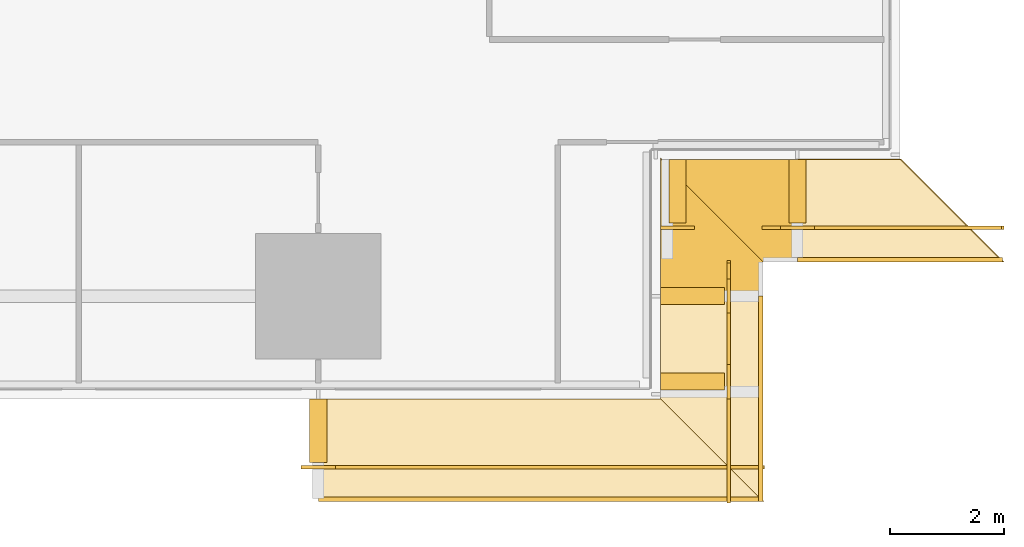
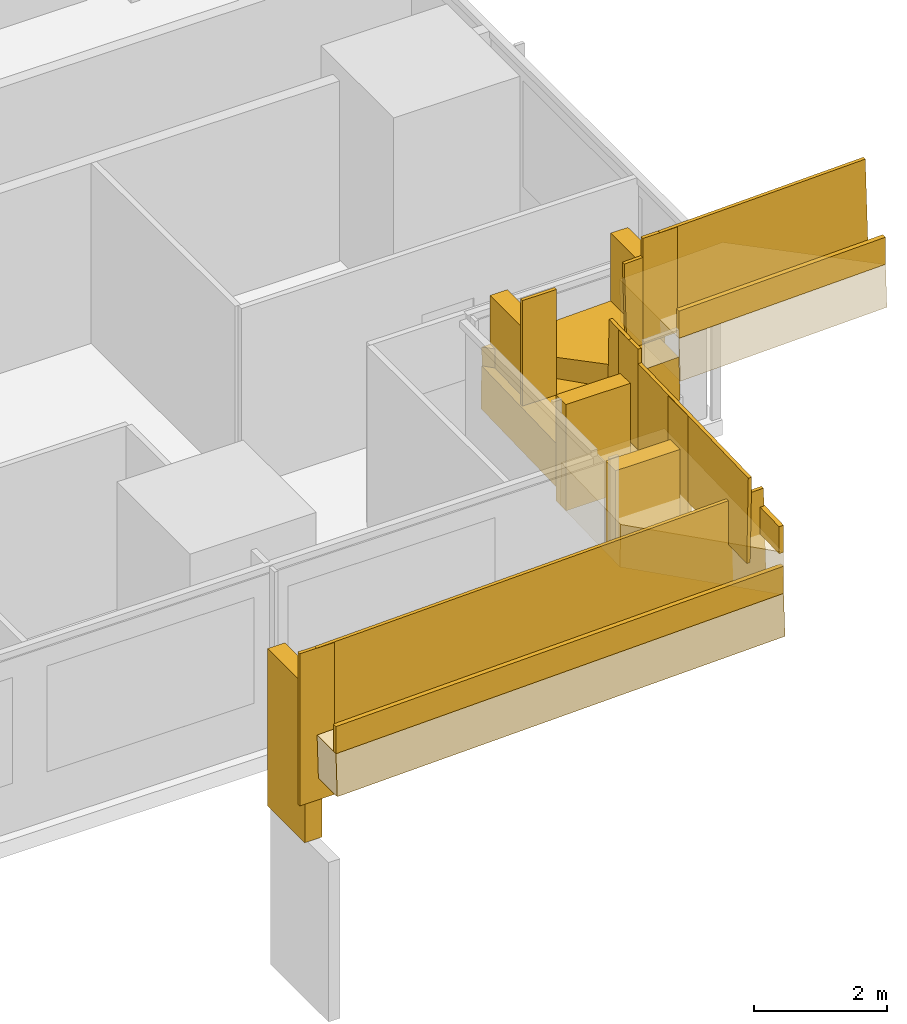
# One storey, part 28 of 30: 13 coverings, 10 railings.
"""IFC4 building model written with IfcOpenShell, lengths in metres."""

from ifc_helpers import new_model, si_unit, direction, frame, origin, origin_2d, place, context, subcontext, project, spatial, polyline, rectangle, outline, extrude, material, layer, layer_set, type_object, element, save


model = new_model("IFC4")

# Units and contexts
model_context = context("Model", 3, precision=1e-05, world=origin(), true_north=direction((0.0, 1.0)))
body_context = subcontext(model_context, "Body", "Model", "MODEL_VIEW")
ifc_project = project(units=[si_unit("LENGTHUNIT", "METRE"), si_unit("AREAUNIT", "SQUARE_METRE"), si_unit("VOLUMEUNIT", "CUBIC_METRE"), si_unit("PLANEANGLEUNIT", "RADIAN"), si_unit("MASSUNIT", "GRAM", prefix="KILO")], contexts=[model_context])

# Site, building, storey
site_placement = place(None, origin())
site = spatial("IfcSite", under=ifc_project, at=site_placement, CompositionType="ELEMENT")
building_placement = place(site_placement, origin())
building = spatial("IfcBuilding", under=site, at=building_placement, Name="Saffron Gate Tower", CompositionType="ELEMENT")
storey_placement = place(building_placement, frame((0.0, 0.0, 69.60009765625)))
storey = spatial("IfcBuildingStorey", under=building, at=storey_placement, Name="L16", CompositionType="ELEMENT", Elevation=69.60009765625)

# Coverings
ifc_material = material(Name="Timber, thermally modified ash", Category="wood")
ifc_layer_1 = layer(ifc_material, 0.800048828125)
ifc_layer_set_1 = layer_set([ifc_layer_1], Name="LD1 ledge timber")
covering_type_1 = type_object("IfcCoveringType", Name="LD1 ledge timber", PredefinedType="CLADDING", material=ifc_layer_set_1)
covering_1_placement = place(storey_placement, frame((117.0, 30.0, 1.055419921875), z_axis=(-0.028807146299, 3.5027307e-05, 0.99958498743), x_axis=(0.999584988043, 3.68e-10, 0.028807146316)))
element("IfcCovering", 1, at=covering_1_placement, inside=storey, type_object=covering_type_1, Name="LEDGE", PredefinedType="CLADDING", context=body_context, shape_type="SweptSolid", body=[
    extrude(outline(polyline([(0.0, 0.0), (6.0024892885105, -2.541098841762901e-21), (7.8032891020589235, -1.8000488321003227), (-6.622937652878055e-10, -1.8000488270207489), (0.0, 0.0)])), origin(), (0.0, 0.0, -1.0), 0.800048828125),
])
covering_2_placement = place(storey_placement, frame((123.0, 30.0, 2.085693359375), z_axis=(-4.5191205e-05, -0.028831989003, 0.999584270769), x_axis=(2.041e-09, 0.999584271789, 0.028831989032)))
element("IfcCovering", 2, at=covering_2_placement, inside=storey, type_object=covering_type_1, Name="LEDGE", PredefinedType="CLADDING", context=body_context, shape_type="SweptSolid", body=[
    extrude(outline(polyline([(0.0, 0.0), (1.8007998167885757, 0.0), (1.8007998204631834, -1.80004882628693), (-1.8007927740541456, -1.800048837315338), (0.0, 0.0)])), origin(), (0.0, 0.0, -1.0), 0.800048828125),
])
covering_3_placement = place(storey_placement, frame((123.0, 31.800048828125, 2.394775390625), z_axis=(-2.8677152e-05, -0.028798988267, 0.999585222706), x_axis=(-6.17e-10, 0.999585223117, 0.028798988279)))
element("IfcCovering", 3, at=covering_3_placement, inside=storey, type_object=covering_type_1, Name="LEDGE", PredefinedType="CLADDING", context=body_context, shape_type="SweptSolid", body=[
    extrude(outline(polyline([(0.0, 0.0), (2.400896693585025, 4.235164736271502e-22), (0.6001039103565923, -1.8000488292351675), (-1.1098572600196767e-09, -1.8000488273848385), (0.0, 0.0)])), origin(), (0.0, 0.0, -1.0), 0.800048828125),
])
covering_4_placement = place(storey_placement, frame((123.0, 34.199951171875, 2.806884765625), z_axis=(-0.028717702301, 7.9786444e-05, 0.99958755855), x_axis=(0.999587561732, -4.773e-09, 0.028717702392)))
element("IfcCovering", 4, at=covering_4_placement, inside=storey, type_object=covering_type_1, Name="LEDGE", PredefinedType="CLADDING", context=body_context, shape_type="SweptSolid", body=[
    extrude(outline(polyline([(0.0, 0.0), (2.400896689844359, 8.470329472543003e-22), (2.400896698435549, -1.8000488223955553), (1.8007998043088487, -1.800048836718559), (0.0, 0.0)])), origin(), (0.0, 0.0, -1.0), 0.800048828125),
])
covering_5_placement = place(storey_placement, frame((125.39990234375, 34.199951171875, 3.218994140625), z_axis=(-0.028831989003, -4.5191205e-05, 0.999584270769), x_axis=(0.999584271789, 2.041e-09, 0.028831989032)))
element("IfcCovering", 5, at=covering_5_placement, inside=storey, type_object=covering_type_1, Name="LEDGE", PredefinedType="CLADDING", context=body_context, shape_type="SweptSolid", body=[
    extrude(outline(polyline([(0.0, 0.0), (1.8007998167885757, 0.0), (3.6015925908427215, -1.800048837315338), (-3.6746077267916745e-09, -1.80004882628693), (0.0, 0.0)])), origin(), (0.0, 0.0, -1.0), 0.800048828125),
])
ifc_layer_2 = layer(ifc_material, 0.080078125)
ifc_layer_set_2 = layer_set([ifc_layer_2], Name="LD2 ledge planter trough")
covering_type_2 = type_object("IfcCoveringType", Name="LD2 ledge planter trough", PredefinedType="CLADDING", material=ifc_layer_set_2)
covering_6_placement = place(storey_placement, frame((117.0, 28.199951171875, 1.055419921875), z_axis=(0.0, -1.0, 0.0), x_axis=(0.999584755248, 0.0, 0.028815222999)))
element("IfcCovering", 6, at=covering_6_placement, inside=storey, type_object=covering_type_2, Name="LEDGE planter trough", PredefinedType="CLADDING", context=body_context, shape_type="SweptSolid", body=[
    extrude(outline(polyline([(0.0, 0.0), (7.803289102975944, 0.0), (7.8176967144752565, 0.4997923776238338), (0.014407611499312996, 0.4997923776238338), (0.0, 0.0)])), origin(), (0.0, 0.0, -1.0), 0.080078125),
])
for number, where, z_axis, x_axis, name in (
    (7, (124.800048828125, 28.199951171875, 2.033935546875), (1.0, 0.0, 0.0), (0.0, 0.99958492274, 0.028809412191), "LEDGE planter trough"),
    (8, (125.39990234375, 32.39990234375, 3.218994140625), (0.0, -1.0, 0.0), (0.99958492274, 0.0, 0.028809412191), "LEDGE planter trough"),
):
    element("IfcCovering", number, at=place(storey_placement, frame(where, z_axis=z_axis, x_axis=x_axis)), inside=storey, type_object=covering_type_2, Name=name, PredefinedType="CLADDING", context=body_context, shape_type="SweptSolid", body=[
        extrude(outline(polyline([(0.0, 0.0), (3.601592595435983, 0.0), (3.6159973015313485, 0.4997924613700232), (0.014404706095365512, 0.4997924613700232), (0.0, 0.0)])), origin(), (0.0, 0.0, -1.0), 0.080078125),
    ])
ifc_layer_3 = layer(ifc_material, 0.300048828125)
ifc_layer_set_3 = layer_set([ifc_layer_3], Name="LD3 ledge riser fin")
covering_type_3 = type_object("IfcCoveringType", Name="LD3 ledge riser fin", PredefinedType="CLADDING", material=ifc_layer_set_3)
covering_7_placement = place(storey_placement, frame((117.0, 29.43994140625, -0.94482421875), z_axis=(0.0, 0.0, 1.0), x_axis=(1.0, 0.0, 0.0)))
element("IfcCovering", 9, at=covering_7_placement, inside=storey, type_object=covering_type_3, Name="LEDGE riser fin", PredefinedType="CLADDING", context=body_context, shape_type="SweptSolid", body=[
    extrude(rectangle(XDim=0.300048828125, YDim=1.1201171875, at=origin_2d()), origin(), (0.0, 0.0, 1.0), 2.900390625),
])
covering_8_placement = place(storey_placement, frame((123.56005859375, 30.300048828125, 0.42822265625), z_axis=(0.0, 0.0, 1.0), x_axis=(0.0, 1.0, 0.0)))
element("IfcCovering", 10, at=covering_8_placement, inside=storey, type_object=covering_type_3, Name="LEDGE riser fin", PredefinedType="CLADDING", context=body_context, shape_type="SweptSolid", body=[
    extrude(rectangle(XDim=0.300048828125, YDim=1.1201171875, at=origin_2d()), origin(), (0.0, 0.0, 1.0), 2.557373046875),
])
covering_9_placement = place(storey_placement, frame((123.56005859375, 31.800048828125, 1.33740234375), z_axis=(0.0, 0.0, 1.0), x_axis=(0.0, 1.0, 0.0)))
element("IfcCovering", 11, at=covering_9_placement, inside=storey, type_object=covering_type_3, Name="LEDGE riser fin", PredefinedType="CLADDING", context=body_context, shape_type="SweptSolid", body=[
    extrude(rectangle(XDim=0.300048828125, YDim=1.1201171875, at=origin_2d()), origin(), (0.0, 0.0, 1.0), 1.957275390625),
])
for number, where, z_axis, x_axis, name in (
    (12, (123.300048828125, 33.639892578125, 1.6640625), (0.0, 0.0, 1.0), (1.0, 0.0, 0.0), "LEDGE riser fin"),
    (13, (125.39990234375, 33.639892578125, 2.076171875), (0.0, 0.0, 1.0), (1.0, 0.0, 0.0), "LEDGE riser fin"),
):
    element("IfcCovering", number, at=place(storey_placement, frame(where, z_axis=z_axis, x_axis=x_axis)), inside=storey, type_object=covering_type_3, Name=name, PredefinedType="CLADDING", context=body_context, shape_type="SweptSolid", body=[
        extrude(rectangle(XDim=0.300048828125, YDim=1.1201171875, at=origin_2d()), origin(), (0.0, 0.0, 1.0), 2.04296875),
    ])

# Railings
railing_type = type_object("IfcRailingType", Name="LG1 ledge balustrade", PredefinedType="BALUSTRADE", material=ifc_material)
railing_1_placement = place(storey_placement, frame((117.0, 28.800048828125, 1.055419921875)))
element("IfcRailing", 14, at=railing_1_placement, inside=storey, type_object=railing_type, Name="LEDGE BALUSTRADE", PredefinedType="BALUSTRADE", context=body_context, shape_type="SweptSolid", body=[
    extrude(rectangle(XDim=0.06005859375, YDim=1.60009765625, at=origin_2d()), frame((0.0, 0.0, 0.800048828125), z_axis=(0.999584755248, 0.0, 0.028815222999), x_axis=(0.0, 1.0, 0.0)), (0.0, 0.0, 1.0), 7.80322265625),
])
railing_2_placement = place(storey_placement, frame((116.699951171875, 28.800048828125, -0.144775390625)))
element("IfcRailing", 15, at=railing_2_placement, inside=storey, type_object=railing_type, Name="LEDGE BALUSTRADE", PredefinedType="BALUSTRADE", context=body_context, shape_type="SweptSolid", body=[
    extrude(rectangle(XDim=0.06005859375, YDim=2.80029296875, at=origin_2d()), frame((0.0, 0.0, 1.400146484375), z_axis=(1.0, 0.0, 0.0), x_axis=(0.0, 1.0, 0.0)), (0.0, 0.0, 1.0), 0.60009765625),
])
railing_3_placement = place(storey_placement, frame((124.199951171875, 28.199951171875, 2.033935546875)))
element("IfcRailing", 16, at=railing_3_placement, inside=storey, type_object=railing_type, Name="LEDGE BALUSTRADE", PredefinedType="BALUSTRADE", context=body_context, shape_type="SweptSolid", body=[
    extrude(rectangle(XDim=0.06005859375, YDim=1.60009765625, at=origin_2d()), frame((0.0, 0.0, 0.800048828125), z_axis=(0.0, 0.99958492274, 0.028809412191), x_axis=(-1.0, 0.0, 0.0)), (0.0, 0.0, 1.0), 3.6015625),
])
railing_4_placement = place(storey_placement, frame((124.199951171875, 30.0, 1.228271484375)))
element("IfcRailing", 17, at=railing_4_placement, inside=storey, type_object=railing_type, Name="LEDGE BALUSTRADE", PredefinedType="BALUSTRADE", context=body_context, shape_type="SweptSolid", body=[
    extrude(rectangle(XDim=0.06005859375, YDim=2.45751953125, at=origin_2d()), frame((0.0, 0.0, 1.228759765625), z_axis=(0.0, 1.0, 0.0), x_axis=(-1.0, 0.0, 0.0)), (0.0, 0.0, 1.0), 0.60009765625),
])
railing_5_placement = place(storey_placement, frame((124.199951171875, 31.800048828125, 2.394775390625)))
element("IfcRailing", 18, at=railing_5_placement, inside=storey, type_object=railing_type, Name="LEDGE BALUSTRADE", PredefinedType="BALUSTRADE", context=body_context, shape_type="SweptSolid", body=[
    extrude(rectangle(XDim=0.06005859375, YDim=1.60009765625, at=origin_2d()), frame((0.0, 0.0, 0.800048828125), z_axis=(0.0, 0.999582742162, 0.028884971385), x_axis=(-1.0, 0.0, 0.0)), (0.0, 0.0, 1.0), 0.60009765625),
])
railing_6_placement = place(storey_placement, frame((124.199951171875, 31.5, 2.1376953125)))
element("IfcRailing", 19, at=railing_6_placement, inside=storey, type_object=railing_type, Name="LEDGE BALUSTRADE", PredefinedType="BALUSTRADE", context=body_context, shape_type="SweptSolid", body=[
    extrude(rectangle(XDim=0.06005859375, YDim=1.857177734375, at=origin_2d()), frame((0.0, 0.0, 0.9287109375), z_axis=(0.0, 1.0, 0.0), x_axis=(-1.0, 0.0, 0.0)), (0.0, 0.0, 1.0), 0.60009765625),
])
railing_7_placement = place(storey_placement, frame((124.800048828125, 33.0, 2.85888671875)))
element("IfcRailing", 20, at=railing_7_placement, inside=storey, type_object=railing_type, Name="LEDGE BALUSTRADE", PredefinedType="BALUSTRADE", context=body_context, shape_type="SweptSolid", body=[
    extrude(rectangle(XDim=0.06005859375, YDim=1.60009765625, at=origin_2d()), frame((0.0, 0.0, 0.800048828125), z_axis=(0.999594406032, 0.0, 0.028478473106), x_axis=(0.0, 1.0, 0.0)), (0.0, 0.0, 1.0), 0.60009765625),
])
railing_8_placement = place(storey_placement, frame((123.0, 33.0, 2.4638671875)))
element("IfcRailing", 21, at=railing_8_placement, inside=storey, type_object=railing_type, Name="LEDGE BALUSTRADE", PredefinedType="BALUSTRADE", context=body_context, shape_type="SweptSolid", body=[
    extrude(rectangle(XDim=0.06005859375, YDim=1.943115234375, at=origin_2d()), frame((0.0, 0.0, 0.9716796875), z_axis=(1.0, 0.0, 0.0), x_axis=(0.0, 1.0, 0.0)), (0.0, 0.0, 1.0), 0.60009765625),
])
railing_9_placement = place(storey_placement, frame((125.39990234375, 33.0, 3.218994140625)))
element("IfcRailing", 22, at=railing_9_placement, inside=storey, type_object=railing_type, Name="LEDGE BALUSTRADE", PredefinedType="BALUSTRADE", context=body_context, shape_type="SweptSolid", body=[
    extrude(rectangle(XDim=0.06005859375, YDim=1.60009765625, at=origin_2d()), frame((0.0, 0.0, 0.800048828125), z_axis=(0.99958492274, 0.0, 0.028809412191), x_axis=(0.0, 1.0, 0.0)), (0.0, 0.0, 1.0), 3.6015625),
])
railing_10_placement = place(storey_placement, frame((125.10009765625, 33.0, 2.8759765625)))
element("IfcRailing", 23, at=railing_10_placement, inside=storey, type_object=railing_type, Name="LEDGE BALUSTRADE", PredefinedType="BALUSTRADE", context=body_context, shape_type="SweptSolid", body=[
    extrude(rectangle(XDim=0.06005859375, YDim=1.943115234375, at=origin_2d()), frame((0.0, 0.0, 0.9716796875), z_axis=(1.0, 0.0, 0.0), x_axis=(0.0, 1.0, 0.0)), (0.0, 0.0, 1.0), 0.599853515625),
])

save(model, "model.ifc")
